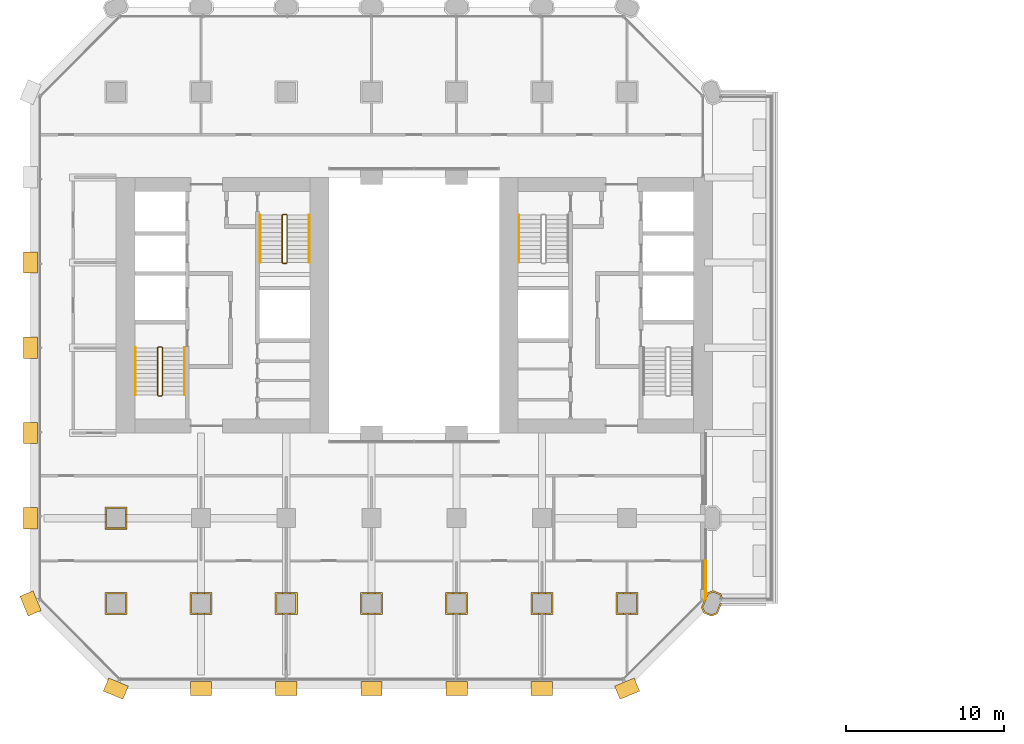
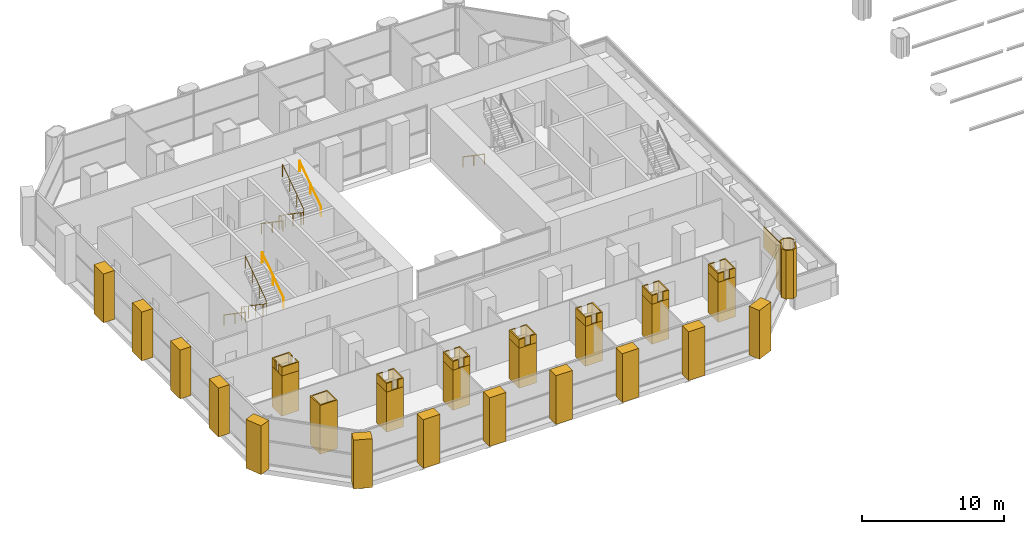
# One storey, part 20 of 23: 37 coverings, 7 railings.
"""IFC4 building model written with IfcOpenShell, lengths in metres."""

from ifc_helpers import new_model, si_unit, direction, frame, frame_2d, origin, origin_2d, place, context, subcontext, project, spatial, polyline, rectangle, circle, outline, extrude, material, layer, layer_set, type_object, element, save


model = new_model("IFC4")

# Units and contexts
model_context = context("Model", 3, precision=1e-05, world=origin(), true_north=direction((0.0, 1.0)))
body_context = subcontext(model_context, "Body", "Model", "MODEL_VIEW")
ifc_project = project(units=[si_unit("LENGTHUNIT", "METRE"), si_unit("AREAUNIT", "SQUARE_METRE"), si_unit("VOLUMEUNIT", "CUBIC_METRE"), si_unit("PLANEANGLEUNIT", "RADIAN"), si_unit("MASSUNIT", "GRAM", prefix="KILO")], contexts=[model_context])

# Site, building, storey
site_placement = place(None, origin())
site = spatial("IfcSite", under=ifc_project, at=site_placement, CompositionType="ELEMENT")
building_placement = place(site_placement, origin())
building = spatial("IfcBuilding", under=site, at=building_placement, Name="Tabaq Tower and Sports Hall", CompositionType="ELEMENT")
storey_placement = place(building_placement, frame((0.0, 0.0, 29.10009765625)))
storey = spatial("IfcBuildingStorey", under=building, at=storey_placement, Name="L05", CompositionType="ELEMENT", Elevation=29.10009765625)

# Coverings
ifc_material_1 = material(Name="Precast concrete C60/75", Category="concrete")
ifc_layer_1 = layer(ifc_material_1, 0.10009765625)
ifc_layer_set_1 = layer_set([ifc_layer_1], Name="Column cladding 100")
covering_type_1 = type_object("IfcCoveringType", Name="Column cladding 100", PredefinedType="CLADDING", material=ifc_layer_set_1)
covering_1_placement = place(storey_placement, origin())
element("IfcCovering", 1, at=covering_1_placement, inside=storey, type_object=covering_type_1, Name="Column cladding L05 CC-2B-P", PredefinedType="CLADDING", context=body_context, shape_type="SweptSolid", body=[
    extrude(outline(polyline([(4.7001953125, 6.099609375), (6.099609375, 6.099609375), (6.099609375, 4.7001953125), (4.7001953125, 4.7001953125), (4.7001953125, 6.099609375)]), holes=[polyline([(6.000244140625, 4.7998046875), (6.000244140625, 6.000244140625), (4.7998046875, 6.000244140625), (4.7998046875, 4.7998046875), (6.000244140625, 4.7998046875)])]), origin(), (0.0, 0.0, 1.0), 4.199951171875),
])
covering_2_placement = place(storey_placement, origin())
element("IfcCovering", 2, at=covering_2_placement, inside=storey, type_object=covering_type_1, Name="Column cladding L05 CC-2C-P", PredefinedType="CLADDING", context=body_context, shape_type="SweptSolid", body=[
    extrude(outline(polyline([(4.7001953125, 11.499755859375), (6.099609375, 11.499755859375), (6.099609375, 10.100341796875), (4.7001953125, 10.100341796875), (4.7001953125, 11.499755859375)]), holes=[polyline([(6.000244140625, 10.19970703125), (6.000244140625, 11.400390625), (4.7998046875, 11.400390625), (4.7998046875, 10.19970703125), (6.000244140625, 10.19970703125)])]), origin(), (0.0, 0.0, 1.0), 3.449951171875),
])
covering_3_placement = place(storey_placement, frame((0.0, 0.0, 3.449951171875)))
element("IfcCovering", 3, at=covering_3_placement, inside=storey, type_object=covering_type_1, Name="Column cladding L05 CC-2C-P head", PredefinedType="CLADDING", context=body_context, shape_type="SweptSolid", body=[
    extrude(outline(polyline([(4.79931640625, 10.574462890625), (4.79931640625, 10.199462890625), (6.00048828125, 10.199462890625), (6.00048828125, 10.574462890625), (6.099365234375, 10.574462890625), (6.099365234375, 10.1005859375), (4.70068359375, 10.1005859375), (4.70068359375, 10.574462890625), (4.79931640625, 10.574462890625)])), origin(), (0.0, 0.0, 1.0), 0.75),
])
covering_4_placement = place(storey_placement, frame((0.0, 0.0, 3.449951171875)))
element("IfcCovering", 4, at=covering_4_placement, inside=storey, type_object=covering_type_1, Name="Column cladding L05 CC-2C-P head 2", PredefinedType="CLADDING", context=body_context, shape_type="SweptSolid", body=[
    extrude(outline(polyline([(4.79931640625, 11.025634765625), (4.70068359375, 11.025634765625), (4.70068359375, 11.49951171875), (6.099365234375, 11.49951171875), (6.099365234375, 11.025634765625), (6.00048828125, 11.025634765625), (6.00048828125, 11.400634765625), (4.79931640625, 11.400634765625), (4.79931640625, 11.025634765625)])), origin(), (0.0, 0.0, 1.0), 0.75),
])
covering_5_placement = place(storey_placement, origin())
element("IfcCovering", 5, at=covering_5_placement, inside=storey, type_object=covering_type_1, Name="Column cladding L05 CC-3B-P", PredefinedType="CLADDING", context=body_context, shape_type="SweptSolid", body=[
    extrude(outline(polyline([(10.100341796875, 6.099609375), (11.499755859375, 6.099609375), (11.499755859375, 4.7001953125), (10.100341796875, 4.7001953125), (10.100341796875, 6.099609375)]), holes=[polyline([(11.400390625, 4.7998046875), (11.400390625, 6.000244140625), (10.19970703125, 6.000244140625), (10.19970703125, 4.7998046875), (11.400390625, 4.7998046875)])]), origin(), (0.0, 0.0, 1.0), 3.449951171875),
])
covering_6_placement = place(storey_placement, frame((0.0, 0.0, 3.449951171875)))
element("IfcCovering", 6, at=covering_6_placement, inside=storey, type_object=covering_type_1, Name="Column cladding L05 CC-3B-P head", PredefinedType="CLADDING", context=body_context, shape_type="SweptSolid", body=[
    extrude(outline(polyline([(10.574462890625, 4.79931640625), (10.574462890625, 4.70068359375), (10.1005859375, 4.70068359375), (10.1005859375, 6.099365234375), (10.574462890625, 6.099365234375), (10.574462890625, 6.00048828125), (10.199462890625, 6.00048828125), (10.199462890625, 4.79931640625), (10.574462890625, 4.79931640625)])), origin(), (0.0, 0.0, 1.0), 0.75),
])
covering_7_placement = place(storey_placement, frame((0.0, 0.0, 3.449951171875)))
element("IfcCovering", 7, at=covering_7_placement, inside=storey, type_object=covering_type_1, Name="Column cladding L05 CC-3B-P head 2", PredefinedType="CLADDING", context=body_context, shape_type="SweptSolid", body=[
    extrude(outline(polyline([(11.025634765625, 4.79931640625), (11.400634765625, 4.79931640625), (11.400634765625, 6.00048828125), (11.025634765625, 6.00048828125), (11.025634765625, 6.099365234375), (11.49951171875, 6.099365234375), (11.49951171875, 4.70068359375), (11.025634765625, 4.70068359375), (11.025634765625, 4.79931640625)])), origin(), (0.0, 0.0, 1.0), 0.75),
])
covering_8_placement = place(storey_placement, origin())
element("IfcCovering", 8, at=covering_8_placement, inside=storey, type_object=covering_type_1, Name="Column cladding L05 CC-4B-P", PredefinedType="CLADDING", context=body_context, shape_type="SweptSolid", body=[
    extrude(outline(polyline([(15.500244140625, 6.099609375), (16.899658203125, 6.099609375), (16.899658203125, 4.7001953125), (15.500244140625, 4.7001953125), (15.500244140625, 6.099609375)]), holes=[polyline([(16.80029296875, 4.7998046875), (16.80029296875, 6.000244140625), (15.599609375, 6.000244140625), (15.599609375, 4.7998046875), (16.80029296875, 4.7998046875)])]), origin(), (0.0, 0.0, 1.0), 3.449951171875),
])
covering_9_placement = place(storey_placement, frame((0.0, 0.0, 3.449951171875)))
element("IfcCovering", 9, at=covering_9_placement, inside=storey, type_object=covering_type_1, Name="Column cladding L05 CC-4B-P head", PredefinedType="CLADDING", context=body_context, shape_type="SweptSolid", body=[
    extrude(outline(polyline([(16.425537109375, 4.79931640625), (16.800537109375, 4.79931640625), (16.800537109375, 6.00048828125), (16.425537109375, 6.00048828125), (16.425537109375, 6.099365234375), (16.8994140625, 6.099365234375), (16.8994140625, 4.70068359375), (16.425537109375, 4.70068359375), (16.425537109375, 4.79931640625)])), origin(), (0.0, 0.0, 1.0), 0.75),
])
covering_10_placement = place(storey_placement, frame((0.0, 0.0, 3.449951171875)))
element("IfcCovering", 10, at=covering_10_placement, inside=storey, type_object=covering_type_1, Name="Column cladding L05 CC-4B-P head 2", PredefinedType="CLADDING", context=body_context, shape_type="SweptSolid", body=[
    extrude(outline(polyline([(15.974365234375, 4.79931640625), (15.974365234375, 4.70068359375), (15.50048828125, 4.70068359375), (15.50048828125, 6.099365234375), (15.974365234375, 6.099365234375), (15.974365234375, 6.00048828125), (15.599365234375, 6.00048828125), (15.599365234375, 4.79931640625), (15.974365234375, 4.79931640625)])), origin(), (0.0, 0.0, 1.0), 0.75),
])
covering_11_placement = place(storey_placement, origin())
element("IfcCovering", 11, at=covering_11_placement, inside=storey, type_object=covering_type_1, Name="Column cladding L05 CC-5B-P", PredefinedType="CLADDING", context=body_context, shape_type="SweptSolid", body=[
    extrude(outline(polyline([(20.900390625, 6.099609375), (22.2998046875, 6.099609375), (22.2998046875, 4.7001953125), (20.900390625, 4.7001953125), (20.900390625, 6.099609375)]), holes=[polyline([(22.2001953125, 4.7998046875), (22.2001953125, 6.000244140625), (20.999755859375, 6.000244140625), (20.999755859375, 4.7998046875), (22.2001953125, 4.7998046875)])]), origin(), (0.0, 0.0, 1.0), 3.449951171875),
])
covering_12_placement = place(storey_placement, frame((0.0, 0.0, 3.449951171875)))
element("IfcCovering", 12, at=covering_12_placement, inside=storey, type_object=covering_type_1, Name="Column cladding L05 CC-5B-P head", PredefinedType="CLADDING", context=body_context, shape_type="SweptSolid", body=[
    extrude(outline(polyline([(21.37451171875, 4.79931640625), (21.37451171875, 4.70068359375), (20.900634765625, 4.70068359375), (20.900634765625, 6.099365234375), (21.37451171875, 6.099365234375), (21.37451171875, 6.00048828125), (20.99951171875, 6.00048828125), (20.99951171875, 4.79931640625), (21.37451171875, 4.79931640625)])), origin(), (0.0, 0.0, 1.0), 0.75),
])
covering_13_placement = place(storey_placement, frame((0.0, 0.0, 3.449951171875)))
element("IfcCovering", 13, at=covering_13_placement, inside=storey, type_object=covering_type_1, Name="Column cladding L05 CC-5B-P head 2", PredefinedType="CLADDING", context=body_context, shape_type="SweptSolid", body=[
    extrude(outline(polyline([(21.82568359375, 4.79931640625), (22.20068359375, 4.79931640625), (22.20068359375, 6.00048828125), (21.82568359375, 6.00048828125), (21.82568359375, 6.099365234375), (22.29931640625, 6.099365234375), (22.29931640625, 4.70068359375), (21.82568359375, 4.70068359375), (21.82568359375, 4.79931640625)])), origin(), (0.0, 0.0, 1.0), 0.75),
])
covering_14_placement = place(storey_placement, origin())
element("IfcCovering", 14, at=covering_14_placement, inside=storey, type_object=covering_type_1, Name="Column cladding L05 CC-6B-P", PredefinedType="CLADDING", context=body_context, shape_type="SweptSolid", body=[
    extrude(outline(polyline([(26.30029296875, 6.099609375), (27.69970703125, 6.099609375), (27.69970703125, 4.7001953125), (26.30029296875, 4.7001953125), (26.30029296875, 6.099609375)]), holes=[polyline([(27.600341796875, 4.7998046875), (27.600341796875, 6.000244140625), (26.399658203125, 6.000244140625), (26.399658203125, 4.7998046875), (27.600341796875, 4.7998046875)])]), origin(), (0.0, 0.0, 1.0), 3.449951171875),
])
covering_15_placement = place(storey_placement, frame((0.0, 0.0, 3.449951171875)))
element("IfcCovering", 15, at=covering_15_placement, inside=storey, type_object=covering_type_1, Name="Column cladding L05 CC-6B-P head", PredefinedType="CLADDING", context=body_context, shape_type="SweptSolid", body=[
    extrude(outline(polyline([(26.7744140625, 4.79931640625), (26.7744140625, 4.70068359375), (26.300537109375, 4.70068359375), (26.300537109375, 6.099365234375), (26.7744140625, 6.099365234375), (26.7744140625, 6.00048828125), (26.3994140625, 6.00048828125), (26.3994140625, 4.79931640625), (26.7744140625, 4.79931640625)])), origin(), (0.0, 0.0, 1.0), 0.75),
])
covering_16_placement = place(storey_placement, frame((0.0, 0.0, 3.449951171875)))
element("IfcCovering", 16, at=covering_16_placement, inside=storey, type_object=covering_type_1, Name="Column cladding L05 CC-6B-P head 2", PredefinedType="CLADDING", context=body_context, shape_type="SweptSolid", body=[
    extrude(outline(polyline([(27.2255859375, 4.79931640625), (27.6005859375, 4.79931640625), (27.6005859375, 6.00048828125), (27.2255859375, 6.00048828125), (27.2255859375, 6.099365234375), (27.699462890625, 6.099365234375), (27.699462890625, 4.70068359375), (27.2255859375, 4.70068359375), (27.2255859375, 4.79931640625)])), origin(), (0.0, 0.0, 1.0), 0.75),
])
covering_17_placement = place(storey_placement, origin())
element("IfcCovering", 17, at=covering_17_placement, inside=storey, type_object=covering_type_1, Name="Column cladding L05 CC-7B-P", PredefinedType="CLADDING", context=body_context, shape_type="SweptSolid", body=[
    extrude(outline(polyline([(31.7001953125, 6.099609375), (33.099609375, 6.099609375), (33.099609375, 4.7001953125), (31.7001953125, 4.7001953125), (31.7001953125, 6.099609375)]), holes=[polyline([(33.000244140625, 4.7998046875), (33.000244140625, 6.000244140625), (31.7998046875, 6.000244140625), (31.7998046875, 4.7998046875), (33.000244140625, 4.7998046875)])]), origin(), (0.0, 0.0, 1.0), 3.449951171875),
])
covering_18_placement = place(storey_placement, frame((0.0, 0.0, 3.449951171875)))
element("IfcCovering", 18, at=covering_18_placement, inside=storey, type_object=covering_type_1, Name="Column cladding L05 CC-7B-P head", PredefinedType="CLADDING", context=body_context, shape_type="SweptSolid", body=[
    extrude(outline(polyline([(32.62548828125, 4.79931640625), (33.00048828125, 4.79931640625), (33.00048828125, 6.00048828125), (32.62548828125, 6.00048828125), (32.62548828125, 6.099365234375), (33.099365234375, 6.099365234375), (33.099365234375, 4.70068359375), (32.62548828125, 4.70068359375), (32.62548828125, 4.79931640625)])), origin(), (0.0, 0.0, 1.0), 0.75),
])
covering_19_placement = place(storey_placement, frame((0.0, 0.0, 3.449951171875)))
element("IfcCovering", 19, at=covering_19_placement, inside=storey, type_object=covering_type_1, Name="Column cladding L05 CC-7B-P head 2", PredefinedType="CLADDING", context=body_context, shape_type="SweptSolid", body=[
    extrude(outline(polyline([(32.17431640625, 4.79931640625), (32.17431640625, 4.70068359375), (31.70068359375, 4.70068359375), (31.70068359375, 6.099365234375), (32.17431640625, 6.099365234375), (32.17431640625, 6.00048828125), (31.79931640625, 6.00048828125), (31.79931640625, 4.79931640625), (32.17431640625, 4.79931640625)])), origin(), (0.0, 0.0, 1.0), 0.75),
])
covering_20_placement = place(storey_placement, origin())
element("IfcCovering", 20, at=covering_20_placement, inside=storey, type_object=covering_type_1, Name="Column cladding L05 CC-8B-P", PredefinedType="CLADDING", context=body_context, shape_type="SweptSolid", body=[
    extrude(outline(polyline([(37.100341796875, 6.099609375), (38.499755859375, 6.099609375), (38.499755859375, 4.7001953125), (37.100341796875, 4.7001953125), (37.100341796875, 6.099609375)]), holes=[polyline([(38.400390625, 4.7998046875), (38.400390625, 6.000244140625), (37.19970703125, 6.000244140625), (37.19970703125, 4.7998046875), (38.400390625, 4.7998046875)])]), origin(), (0.0, 0.0, 1.0), 3.449951171875),
])
covering_21_placement = place(storey_placement, frame((0.0, 0.0, 3.449951171875)))
element("IfcCovering", 21, at=covering_21_placement, inside=storey, type_object=covering_type_1, Name="Column cladding L05 CC-8B-P head", PredefinedType="CLADDING", context=body_context, shape_type="SweptSolid", body=[
    extrude(outline(polyline([(37.574462890625, 4.79931640625), (37.574462890625, 4.70068359375), (37.1005859375, 4.70068359375), (37.1005859375, 6.099365234375), (37.574462890625, 6.099365234375), (37.574462890625, 6.00048828125), (37.199462890625, 6.00048828125), (37.199462890625, 4.79931640625), (37.574462890625, 4.79931640625)])), origin(), (0.0, 0.0, 1.0), 0.75),
])
covering_22_placement = place(storey_placement, frame((0.0, 0.0, 3.449951171875)))
element("IfcCovering", 22, at=covering_22_placement, inside=storey, type_object=covering_type_1, Name="Column cladding L05 CC-8B-P head 2", PredefinedType="CLADDING", context=body_context, shape_type="SweptSolid", body=[
    extrude(outline(polyline([(38.025634765625, 4.79931640625), (38.400634765625, 4.79931640625), (38.400634765625, 6.00048828125), (38.025634765625, 6.00048828125), (38.025634765625, 6.099365234375), (38.49951171875, 6.099365234375), (38.49951171875, 4.70068359375), (38.025634765625, 4.70068359375), (38.025634765625, 4.79931640625)])), origin(), (0.0, 0.0, 1.0), 0.75),
])
covering_23_placement = place(storey_placement, origin())
element("IfcCovering", 23, at=covering_23_placement, inside=storey, type_object=covering_type_1, Name="Column cladding L05 PC-9B-P", PredefinedType="CLADDING", context=body_context, shape_type="SweptSolid", body=[
    extrude(outline(polyline([(42.657470703125, 4.7861328125), (42.504150390625, 5.156494140625), (42.68212890625, 5.586181640625), (42.750244140625, 5.586181640625), (42.750244140625, 5.642822265625), (42.810302734375, 5.642822265625), (42.810302734375, 5.8955078125), (42.880126953125, 6.064208984375), (43.25048828125, 6.217529296875), (43.742431640625, 6.013916015625), (43.8681640625, 5.710205078125), (43.7607421875, 5.710205078125), (43.66650390625, 5.937744140625), (43.25048828125, 6.110107421875), (42.956298828125, 5.98828125), (42.61181640625, 5.156494140625), (42.733642578125, 4.8623046875), (43.149658203125, 4.68994140625), (43.44384765625, 4.811767578125), (43.69970703125, 5.4296875), (43.69970703125, 5.399658203125), (43.794921875, 5.399658203125), (43.519775390625, 4.73583984375), (43.149658203125, 4.582275390625), (42.657470703125, 4.7861328125)])), origin(), (0.0, 0.0, 1.0), 4.199951171875),
])
ifc_material_2 = material(Name="White precast concrete C60/75", Category="concrete")
covering_type_2 = type_object("IfcCoveringType", Name="Pier cladding hung 1350x900", PredefinedType="CLADDING", material=ifc_material_2)
for number, where, z_axis, x_axis, name in (
    (24, (-0.25830078125, 6.023681640625, 0.0), (0.0, 0.0, 1.0), (0.382649923473, -0.923893411637, 0.0), "Hung pier cladding 0/1"),
    (25, (0.0, 11.47509765625, 0.0), (0.0, 0.0, 1.0), (0.0, -1.0, 0.0), "Hung pier cladding 0/2"),
    (26, (0.0, 16.875, 0.0), (0.0, 0.0, 1.0), (0.0, -1.0, 0.0), "Hung pier cladding 0/3"),
):
    element("IfcCovering", number, at=place(storey_placement, frame(where, z_axis=z_axis, x_axis=x_axis)), inside=storey, type_object=covering_type_2, Name=name, PredefinedType="CLADDING", context=body_context, shape_type="SweptSolid", body=[
        extrude(rectangle(XDim=1.35009765625, YDim=0.89990234375, at=frame_2d((0.675048828125, 0.0))), origin(), (0.0, 0.0, 1.0), 4.199951171875),
    ])
covering_24_placement = place(storey_placement, frame((0.0, 22.27490234375, 0.0), z_axis=(0.0, 0.0, 1.0), x_axis=(0.0, -1.0, 0.0)))
element("IfcCovering", 27, at=covering_24_placement, inside=storey, type_object=covering_type_2, Name="Hung pier cladding 0/4", PredefinedType="CLADDING", context=body_context, shape_type="SweptSolid", body=[
    extrude(rectangle(XDim=1.349853515625, YDim=0.89990234375, at=frame_2d((0.6748046875, 0.0))), origin(), (0.0, 0.0, 1.0), 4.199951171875),
])
for number, where, z_axis, x_axis, name in (
    (28, (0.0, 27.675048828125, 0.0), (0.0, 0.0, 1.0), (0.0, -1.0, 0.0), "Hung pier cladding 0/5"),
    (29, (4.7763671875, 0.25830078125, 0.0), (0.0, 0.0, 1.0), (0.923893411637, -0.382649923473, 0.0), "Hung pier cladding 1/0"),
    (30, (10.125, 0.0, 0.0), (0.0, 0.0, 1.0), (1.0, 0.0, 0.0), "Hung pier cladding 2/0"),
    (31, (15.52490234375, 0.0, 0.0), (0.0, 0.0, 1.0), (1.0, 0.0, 0.0), "Hung pier cladding 3/0"),
):
    element("IfcCovering", number, at=place(storey_placement, frame(where, z_axis=z_axis, x_axis=x_axis)), inside=storey, type_object=covering_type_2, Name=name, PredefinedType="CLADDING", context=body_context, shape_type="SweptSolid", body=[
        extrude(rectangle(XDim=1.35009765625, YDim=0.89990234375, at=frame_2d((0.675048828125, 0.0))), origin(), (0.0, 0.0, 1.0), 4.199951171875),
    ])
covering_25_placement = place(storey_placement, frame((20.925048828125, 0.0, 0.0), z_axis=(0.0, 0.0, 1.0), x_axis=(1.0, 0.0, 0.0)))
element("IfcCovering", 32, at=covering_25_placement, inside=storey, type_object=covering_type_2, Name="Hung pier cladding 4/0", PredefinedType="CLADDING", context=body_context, shape_type="SweptSolid", body=[
    extrude(rectangle(XDim=1.349853515625, YDim=0.89990234375, at=frame_2d((0.6748046875, 0.0))), origin(), (0.0, 0.0, 1.0), 4.199951171875),
])
covering_26_placement = place(storey_placement, frame((26.324951171875, 0.0, 0.0), z_axis=(0.0, 0.0, 1.0), x_axis=(1.0, 0.0, 0.0)))
element("IfcCovering", 33, at=covering_26_placement, inside=storey, type_object=covering_type_2, Name="Hung pier cladding 5/0", PredefinedType="CLADDING", context=body_context, shape_type="SweptSolid", body=[
    extrude(rectangle(XDim=1.35009765625, YDim=0.89990234375, at=frame_2d((0.675048828125, 0.0))), origin(), (0.0, 0.0, 1.0), 4.199951171875),
])
covering_27_placement = place(storey_placement, frame((31.72509765625, 0.0, 0.0), z_axis=(0.0, 0.0, 1.0), x_axis=(1.0, 0.0, 0.0)))
element("IfcCovering", 34, at=covering_27_placement, inside=storey, type_object=covering_type_2, Name="Hung pier cladding 6/0", PredefinedType="CLADDING", context=body_context, shape_type="SweptSolid", body=[
    extrude(rectangle(XDim=1.349853515625, YDim=0.89990234375, at=frame_2d((0.6748046875, 0.0))), origin(), (0.0, 0.0, 1.0), 4.199951171875),
])
covering_28_placement = place(storey_placement, frame((37.17626953125, -0.25830078125, 0.0), z_axis=(0.0, 0.0, 1.0), x_axis=(0.923893411637, 0.382649923473, 0.0)))
element("IfcCovering", 35, at=covering_28_placement, inside=storey, type_object=covering_type_2, Name="Hung pier cladding 7/0", PredefinedType="CLADDING", context=body_context, shape_type="SweptSolid", body=[
    extrude(rectangle(XDim=1.35009765625, YDim=0.89990234375, at=frame_2d((0.675048828125, 0.0))), origin(), (0.0, 0.0, 1.0), 4.199951171875),
])

# Railings
ifc_material_3 = material(Name="Stainless steel", Category="steel")
railing_type_1 = type_object("IfcRailingType", Name="Stair guard", PredefinedType="GUARDRAIL", material=ifc_material_3)
railing_1_placement = place(storey_placement, frame((8.300048828125, 21.64990234375, 0.0)))
element("IfcRailing", 36, at=railing_1_placement, inside=storey, type_object=railing_type_1, Name="L05 ST1 stair guard 1", PredefinedType="GUARDRAIL", context=body_context, shape_type="SweptSolid", body=[
    extrude(circle(Radius=0.02392578125, at=origin_2d()), frame((0.0, 0.0, 1.076171875), z_axis=(-1.0, 0.0, 0.0), x_axis=(0.0, -1.0, 0.0)), (0.0, 0.0, 1.0), 0.199951171875),
    extrude(circle(Radius=0.02392578125, at=origin_2d()), frame((-0.199951171875, 0.0, 1.076171875), z_axis=(-0.249802250048, -0.248583702486, 0.935844527007), x_axis=(0.705375805398, -0.708833529934, 0.0)), (0.0, 0.0, 1.0), 0.200439453125),
    extrude(circle(Radius=0.02392578125, at=origin_2d()), frame((-0.25, -0.0498046875, 1.263671875), z_axis=(0.0, -0.824041924199, 0.566528822887), x_axis=(1.0, 0.0, 0.0)), (0.0, 0.0, 1.0), 3.640625),
    extrude(circle(Radius=0.02392578125, at=origin_2d()), frame((-0.25, -3.0498046875, 3.326171875), z_axis=(0.707106781187, -0.707106781187, 0.0), x_axis=(0.707106781187, 0.707106781187, 0.0)), (0.0, 0.0, 1.0), 0.07080078125),
    extrude(circle(Radius=0.02392578125, at=origin_2d()), frame((-0.199951171875, -3.099853515625, 3.326171875), z_axis=(1.0, 0.0, 0.0), x_axis=(0.0, 1.0, 0.0)), (0.0, 0.0, 1.0), 0.199951171875),
    extrude(circle(Radius=0.02392578125, at=origin_2d()), frame((0.0, -3.099853515625, 3.326171875), z_axis=(0.249726431254, 0.249726431254, 0.935560483917), x_axis=(-0.707106781187, 0.707106781187, 0.0)), (0.0, 0.0, 1.0), 0.200439453125),
    extrude(circle(Radius=0.02392578125, at=origin_2d()), frame((0.050048828125, -3.0498046875, 3.513671875), z_axis=(0.0, 0.824041924199, 0.566528822887), x_axis=(-1.0, 0.0, 0.0)), (0.0, 0.0, 1.0), 3.640625),
    extrude(circle(Radius=0.02099609375, at=origin_2d()), origin(), (0.0, 0.0, 1.0), 1.052001953125),
    extrude(circle(Radius=0.02099609375, at=origin_2d()), frame((-0.199951171875, 0.0, 0.0)), (0.0, 0.0, 1.0), 1.052001953125),
    extrude(circle(Radius=0.02099609375, at=origin_2d()), frame((-0.25, -0.0498046875, 0.1875)), (0.0, 0.0, 1.0), 1.052001953125),
    extrude(circle(Radius=0.02099609375, at=origin_2d()), frame((-0.25, -1.0498046875, 0.875)), (0.0, 0.0, 1.0), 1.052001953125),
    extrude(circle(Radius=0.02099609375, at=origin_2d()), frame((-0.25, -2.0498046875, 1.5625)), (0.0, 0.0, 1.0), 1.052001953125),
    extrude(circle(Radius=0.02099609375, at=origin_2d()), frame((-0.25, -3.0498046875, 2.25)), (0.0, 0.0, 1.0), 1.052001953125),
    extrude(circle(Radius=0.02099609375, at=origin_2d()), frame((-0.199951171875, -3.099853515625, 2.25)), (0.0, 0.0, 1.0), 1.052001953125),
    extrude(circle(Radius=0.02099609375, at=origin_2d()), frame((0.0, -3.099853515625, 2.25)), (0.0, 0.0, 1.0), 1.052001953125),
    extrude(circle(Radius=0.02099609375, at=origin_2d()), frame((0.050048828125, -3.0498046875, 2.4375)), (0.0, 0.0, 1.0), 1.052001953125),
    extrude(circle(Radius=0.02099609375, at=origin_2d()), frame((0.050048828125, -2.0498046875, 3.125)), (0.0, 0.0, 1.0), 1.052001953125),
    extrude(circle(Radius=0.02099609375, at=origin_2d()), frame((0.050048828125, -1.0498046875, 3.8125)), (0.0, 0.0, 1.0), 1.052001953125),
    extrude(circle(Radius=0.02099609375, at=origin_2d()), frame((0.050048828125, -0.0498046875, 4.5)), (0.0, 0.0, 1.0), 1.052001953125),
])
railing_2_placement = place(storey_placement, frame((16.199951171875, 30.050048828125, 0.0)))
element("IfcRailing", 37, at=railing_2_placement, inside=storey, type_object=railing_type_1, Name="L05 ST2 stair guard 1", PredefinedType="GUARDRAIL", context=body_context, shape_type="SweptSolid", body=[
    extrude(circle(Radius=0.02392578125, at=origin_2d()), frame((0.0, 0.0, 1.076171875), z_axis=(-1.0, 0.0, 0.0), x_axis=(0.0, -1.0, 0.0)), (0.0, 0.0, 1.0), 0.199951171875),
    extrude(circle(Radius=0.02392578125, at=origin_2d()), frame((-0.199951171875, 0.0, 1.076171875), z_axis=(-0.249726431254, -0.249726431254, 0.935560483917), x_axis=(0.707106781187, -0.707106781187, 0.0)), (0.0, 0.0, 1.0), 0.200439453125),
    extrude(circle(Radius=0.02392578125, at=origin_2d()), frame((-0.25, -0.050048828125, 1.263671875), z_axis=(0.0, -0.824041924199, 0.566528822887), x_axis=(1.0, 0.0, 0.0)), (0.0, 0.0, 1.0), 3.640625),
    extrude(circle(Radius=0.02392578125, at=origin_2d()), frame((-0.25, -3.050048828125, 3.326171875), z_axis=(0.707106781187, -0.707106781187, 0.0), x_axis=(0.707106781187, 0.707106781187, 0.0)), (0.0, 0.0, 1.0), 0.07080078125),
    extrude(circle(Radius=0.02392578125, at=origin_2d()), frame((-0.199951171875, -3.10009765625, 3.326171875), z_axis=(1.0, 0.0, 0.0), x_axis=(0.0, 1.0, 0.0)), (0.0, 0.0, 1.0), 0.199951171875),
    extrude(circle(Radius=0.02392578125, at=origin_2d()), frame((0.0, -3.10009765625, 3.326171875), z_axis=(0.249726431254, 0.249726431254, 0.935560483917), x_axis=(-0.707106781187, 0.707106781187, 0.0)), (0.0, 0.0, 1.0), 0.200439453125),
    extrude(circle(Radius=0.02392578125, at=origin_2d()), frame((0.050048828125, -3.050048828125, 3.513671875), z_axis=(0.0, 0.824041924199, 0.566528822887), x_axis=(-1.0, 0.0, 0.0)), (0.0, 0.0, 1.0), 3.640625),
    extrude(circle(Radius=0.02099609375, at=origin_2d()), origin(), (0.0, 0.0, 1.0), 1.052001953125),
    extrude(circle(Radius=0.02099609375, at=origin_2d()), frame((-0.199951171875, 0.0, 0.0)), (0.0, 0.0, 1.0), 1.052001953125),
    extrude(circle(Radius=0.02099609375, at=origin_2d()), frame((-0.25, -0.050048828125, 0.1875)), (0.0, 0.0, 1.0), 1.052001953125),
    extrude(circle(Radius=0.02099609375, at=origin_2d()), frame((-0.25, -1.050048828125, 0.875)), (0.0, 0.0, 1.0), 1.052001953125),
    extrude(circle(Radius=0.02099609375, at=origin_2d()), frame((-0.25, -2.050048828125, 1.5625)), (0.0, 0.0, 1.0), 1.052001953125),
    extrude(circle(Radius=0.02099609375, at=origin_2d()), frame((-0.25, -3.050048828125, 2.25)), (0.0, 0.0, 1.0), 1.052001953125),
    extrude(circle(Radius=0.02099609375, at=origin_2d()), frame((-0.199951171875, -3.10009765625, 2.25)), (0.0, 0.0, 1.0), 1.052001953125),
    extrude(circle(Radius=0.02099609375, at=origin_2d()), frame((0.0, -3.10009765625, 2.25)), (0.0, 0.0, 1.0), 1.052001953125),
    extrude(circle(Radius=0.02099609375, at=origin_2d()), frame((0.050048828125, -3.050048828125, 2.4375)), (0.0, 0.0, 1.0), 1.052001953125),
    extrude(circle(Radius=0.02099609375, at=origin_2d()), frame((0.050048828125, -2.050048828125, 3.125)), (0.0, 0.0, 1.0), 1.052001953125),
    extrude(circle(Radius=0.02099609375, at=origin_2d()), frame((0.050048828125, -1.050048828125, 3.8125)), (0.0, 0.0, 1.0), 1.052001953125),
    extrude(circle(Radius=0.02099609375, at=origin_2d()), frame((0.050048828125, -0.050048828125, 4.5)), (0.0, 0.0, 1.0), 1.052001953125),
])
ifc_material_4 = material(Name="Stainless steel", Category="steel")
railing_type_2 = type_object("IfcRailingType", Name="Stair handrail", PredefinedType="HANDRAIL", material=ifc_material_4)
railing_3_placement = place(storey_placement, frame((6.64990234375, 21.60009765625, 0.1875)))
element("IfcRailing", 38, at=railing_3_placement, inside=storey, type_object=railing_type_2, Name="L05 ST1 stair handrail 1", PredefinedType="HANDRAIL", context=body_context, shape_type="SweptSolid", body=[
    extrude(circle(Radius=0.02392578125, at=origin_2d()), frame((0.0, 0.0, 0.8759765625), z_axis=(0.0, -0.824041924199, 0.566528822887), x_axis=(1.0, 0.0, 0.0)), (0.0, 0.0, 1.0), 3.640625),
    extrude(circle(Radius=0.02099609375, at=origin_2d()), origin(), (0.0, 0.0, 1.0), 0.851806640625),
    extrude(circle(Radius=0.02099609375, at=origin_2d()), frame((0.0, -1.5, 1.03125)), (0.0, 0.0, 1.0), 0.851806640625),
    extrude(circle(Radius=0.02099609375, at=origin_2d()), frame((0.0, -3.0, 2.0625)), (0.0, 0.0, 1.0), 0.851806640625),
])
railing_4_placement = place(storey_placement, frame((9.75, 18.60009765625, 2.4375)))
element("IfcRailing", 39, at=railing_4_placement, inside=storey, type_object=railing_type_2, Name="L05 ST1 stair handrail 2", PredefinedType="HANDRAIL", context=body_context, shape_type="SweptSolid", body=[
    extrude(circle(Radius=0.02392578125, at=origin_2d()), frame((0.0, 0.0, 0.8759765625), z_axis=(0.0, 0.824041924199, 0.566528822887), x_axis=(-1.0, 0.0, 0.0)), (0.0, 0.0, 1.0), 3.640625),
    extrude(circle(Radius=0.02099609375, at=origin_2d()), origin(), (0.0, 0.0, 1.0), 0.851806640625),
    extrude(circle(Radius=0.02099609375, at=origin_2d()), frame((0.0, 1.5, 1.03125)), (0.0, 0.0, 1.0), 0.851806640625),
    extrude(circle(Radius=0.02099609375, at=origin_2d()), frame((0.0, 3.0, 2.0625)), (0.0, 0.0, 1.0), 0.851806640625),
])
railing_5_placement = place(storey_placement, frame((14.550048828125, 30.0, 0.1875)))
element("IfcRailing", 40, at=railing_5_placement, inside=storey, type_object=railing_type_2, Name="L05 ST2 stair handrail 1", PredefinedType="HANDRAIL", context=body_context, shape_type="SweptSolid", body=[
    extrude(circle(Radius=0.02392578125, at=origin_2d()), frame((0.0, 0.0, 0.8759765625), z_axis=(0.0, -0.824041924199, 0.566528822887), x_axis=(1.0, 0.0, 0.0)), (0.0, 0.0, 1.0), 3.640625),
    extrude(circle(Radius=0.02099609375, at=origin_2d()), origin(), (0.0, 0.0, 1.0), 0.851806640625),
    extrude(circle(Radius=0.02099609375, at=origin_2d()), frame((0.0, -1.5, 1.03125)), (0.0, 0.0, 1.0), 0.851806640625),
    extrude(circle(Radius=0.02099609375, at=origin_2d()), frame((0.0, -3.0, 2.0625)), (0.0, 0.0, 1.0), 0.851806640625),
])
railing_6_placement = place(storey_placement, frame((17.64990234375, 27.0, 2.4375)))
element("IfcRailing", 41, at=railing_6_placement, inside=storey, type_object=railing_type_2, Name="L05 ST2 stair handrail 2", PredefinedType="HANDRAIL", context=body_context, shape_type="SweptSolid", body=[
    extrude(circle(Radius=0.02392578125, at=origin_2d()), frame((0.0, 0.0, 0.8759765625), z_axis=(0.0, 0.824041924199, 0.566528822887), x_axis=(-1.0, 0.0, 0.0)), (0.0, 0.0, 1.0), 3.640625),
    extrude(circle(Radius=0.02099609375, at=origin_2d()), origin(), (0.0, 0.0, 1.0), 0.851806640625),
    extrude(circle(Radius=0.02099609375, at=origin_2d()), frame((0.0, 1.5, 1.03125)), (0.0, 0.0, 1.0), 0.851806640625),
    extrude(circle(Radius=0.02099609375, at=origin_2d()), frame((0.0, 3.0, 2.0625)), (0.0, 0.0, 1.0), 0.851806640625),
])
railing_7_placement = place(storey_placement, frame((30.949951171875, 30.0, 0.1875)))
element("IfcRailing", 42, at=railing_7_placement, inside=storey, type_object=railing_type_2, Name="L05 ST4 stair handrail 1", PredefinedType="HANDRAIL", context=body_context, shape_type="SweptSolid", body=[
    extrude(circle(Radius=0.02392578125, at=origin_2d()), frame((0.0, 0.0, 0.8759765625), z_axis=(0.0, -0.824041924199, 0.566528822887), x_axis=(1.0, 0.0, 0.0)), (0.0, 0.0, 1.0), 3.640625),
    extrude(circle(Radius=0.02099609375, at=origin_2d()), origin(), (0.0, 0.0, 1.0), 0.851806640625),
    extrude(circle(Radius=0.02099609375, at=origin_2d()), frame((0.0, -1.5, 1.03125)), (0.0, 0.0, 1.0), 0.851806640625),
    extrude(circle(Radius=0.02099609375, at=origin_2d()), frame((0.0, -3.0, 2.0625)), (0.0, 0.0, 1.0), 0.851806640625),
])

# Coverings
ifc_material_5 = material(Name="Precast concrete C60/75", Category="concrete")
ifc_layer_2 = layer(ifc_material_5, 0.06005859375)
ifc_layer_set_2 = layer_set([ifc_layer_2], Name="White precast cladding panel 60 C60/75")
covering_type_3 = type_object("IfcCoveringType", Name="White precast cladding panel 60 C60/75", PredefinedType="CLADDING", material=ifc_layer_set_2)
covering_29_placement = place(storey_placement, frame((42.780029296875, 5.64306640625, 0.0), z_axis=(0.0, 0.0, 1.0), x_axis=(0.0, 1.0, 0.0)))
element("IfcCovering", 43, at=covering_29_placement, inside=storey, type_object=covering_type_3, Name="White precast cladding panel L05 infill02-0-0", PredefinedType="CLADDING", context=body_context, shape_type="SweptSolid", body=[
    extrude(rectangle(XDim=0.64697265625, YDim=0.06005859375, at=frame_2d((0.323486328125, 0.0))), origin(), (0.0, 0.0, 1.0), 4.199951171875),
])
covering_30_placement = place(storey_placement, frame((42.780029296875, 6.2900390625, 2.409912109375), z_axis=(0.0, 0.0, 1.0), x_axis=(0.0, 1.0, 0.0)))
element("IfcCovering", 44, at=covering_30_placement, inside=storey, type_object=covering_type_3, Name="White precast cladding panel L05 infill02-0-0 2", PredefinedType="CLADDING", context=body_context, shape_type="SweptSolid", body=[
    extrude(rectangle(XDim=1.820068359375, YDim=0.06005859375, at=frame_2d((0.91015625, 0.0))), origin(), (0.0, 0.0, 1.0), 1.7900390625),
])

save(model, "model.ifc")
